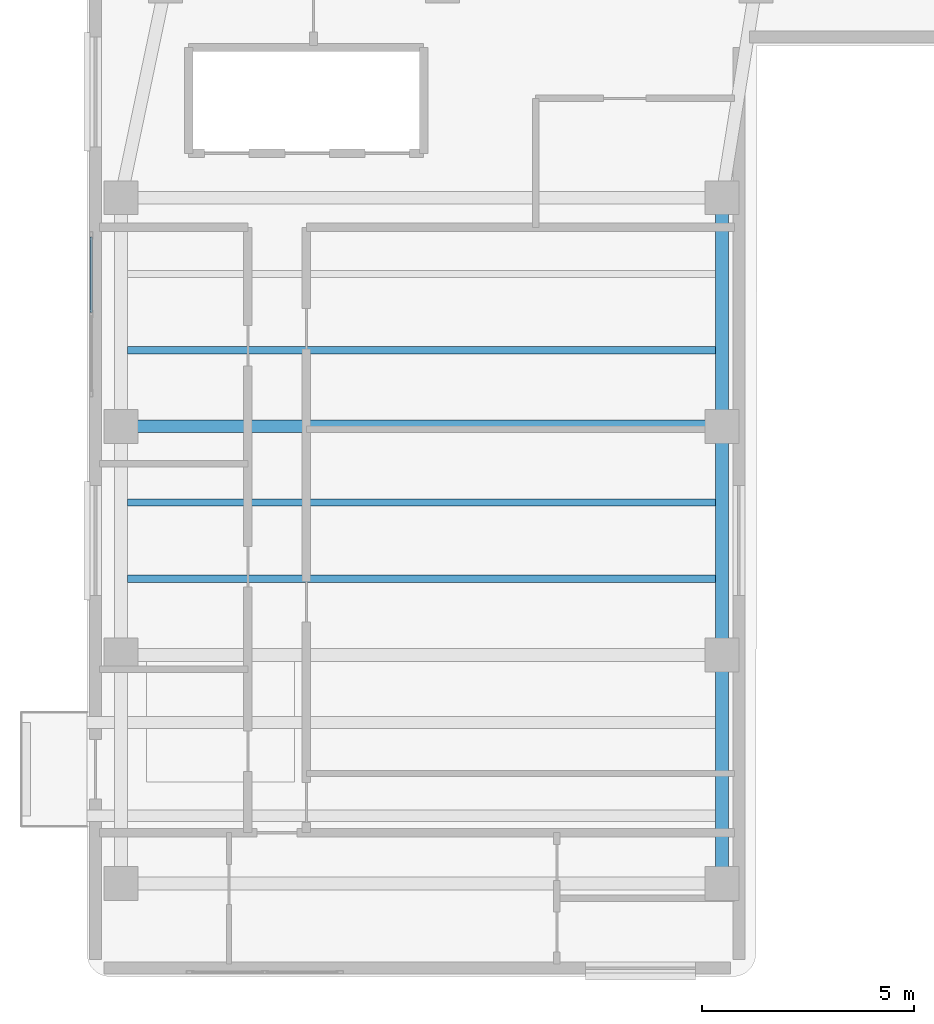
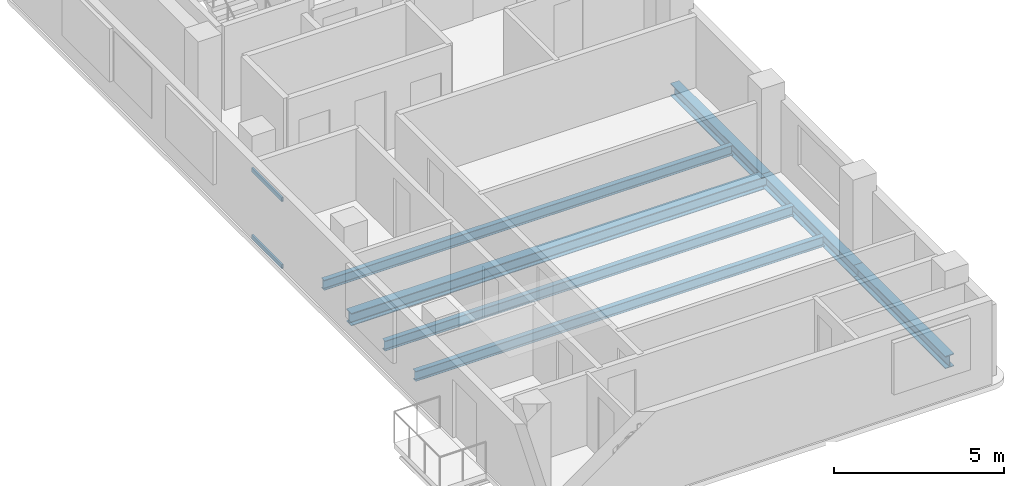
# One storey, part 5 of 11: 7 beams, 2 members, 1 element without a shape of its own.
"""IFC4 building model written with IfcOpenShell, lengths in metres."""

from ifc_helpers import new_model, si_unit, direction, frame, origin, origin_2d, place, context, subcontext, project, spatial, hollow_rectangle, i_section, extrude, material, material_profile, profile_set, type_object, element, aggregate, save


model = new_model("IFC4")

# Units and contexts
model_context = context("Model", 3, precision=1e-05, world=origin(), true_north=direction((0.0, 1.0)))
body_context = subcontext(model_context, "Body", "Model", "MODEL_VIEW")
ifc_project = project(units=[si_unit("LENGTHUNIT", "METRE"), si_unit("AREAUNIT", "SQUARE_METRE"), si_unit("VOLUMEUNIT", "CUBIC_METRE"), si_unit("PLANEANGLEUNIT", "RADIAN"), si_unit("MASSUNIT", "GRAM", prefix="KILO")], contexts=[model_context])

# Site, building, storey
site_placement = place(None, origin())
site = spatial("IfcSite", under=ifc_project, at=site_placement, CompositionType="ELEMENT")
building_placement = place(site_placement, origin())
building = spatial("IfcBuilding", under=site, at=building_placement, Name="Kuzgunbayir Cultural Tower", CompositionType="ELEMENT")
storey_placement = place(building_placement, frame((0.0, 0.0, 244.0)))
storey = spatial("IfcBuildingStorey", under=building, at=storey_placement, Name="L72", CompositionType="ELEMENT", Elevation=244.0)

# Beams
ifc_material_1 = material(Name="Steel S355J2", Category="steel")
ifc_material_profile_1 = material_profile(ifc_material_1, i_section(OverallWidth=0.300048828125, OverallDepth=0.449951171875, WebThickness=0.013916015625, FlangeThickness=0.02587890625, FilletRadius=0.027099609375, at=origin_2d()), Name="HEB 450")
ifc_profile_set_1 = profile_set([ifc_material_profile_1], Name="Steel S355J2")
beam_type_1 = type_object("IfcBeamType", Name="BM-EXT-HEB450", PredefinedType="BEAM", material=ifc_profile_set_1)
for number, where, z_axis, x_axis, name in (
    (1, (19.60009765625, 12.60009765625, -0.409912109375), (0.0, 1.0, 0.0), (-1.0, 0.0, 0.0), "L72 Wing A East Girder 1"),
    (2, (19.60009765625, 18.0, -0.409912109375), (0.0, 1.0, 0.0), (-1.0, 0.0, 0.0), "L72 Wing A East Girder 2"),
):
    element("IfcBeam", number, at=place(storey_placement, frame(where, z_axis=z_axis, x_axis=x_axis)), inside=storey, type_object=beam_type_1, Name=name, PredefinedType="BEAM", context=body_context, shape_type="SweptSolid", body=[
        extrude(i_section(OverallWidth=0.300048828125, OverallDepth=0.449951171875, WebThickness=0.013916015625, FlangeThickness=0.02587890625, FilletRadius=0.027099609375, at=origin_2d()), origin(), (0.0, 0.0, 1.0), 5.39990234375),
    ])
beam_1_placement = place(storey_placement, frame((19.60009765625, 23.39990234375, -0.409912109375), z_axis=(0.0, 1.0, 0.0), x_axis=(-1.0, 0.0, 0.0)))
element("IfcBeam", 3, at=beam_1_placement, inside=storey, type_object=beam_type_1, Name="L72 Wing A East Girder 3", PredefinedType="BEAM", context=body_context, shape_type="SweptSolid", body=[
    extrude(i_section(OverallWidth=0.300048828125, OverallDepth=0.449951171875, WebThickness=0.013916015625, FlangeThickness=0.02587890625, FilletRadius=0.027099609375, at=origin_2d()), origin(), (0.0, 0.0, 1.0), 5.400146484375),
])
ifc_material_profile_2 = material_profile(ifc_material_1, i_section(OverallWidth=0.300048828125, OverallDepth=0.449951171875, WebThickness=0.013916015625, FlangeThickness=0.02587890625, FilletRadius=0.027099609375, at=origin_2d()), Name="HEB 450")
ifc_profile_set_2 = profile_set([ifc_material_profile_2], Name="Steel S355J2")
beam_type_2 = type_object("IfcBeamType", Name="BM-GIR-HEB450", PredefinedType="BEAM", material=ifc_profile_set_2)
beam_2_placement = place(storey_placement, frame((5.39990234375, 23.39990234375, -0.409912109375), z_axis=(1.0, 0.0, 0.0), x_axis=(0.0, 1.0, 0.0)))
element("IfcBeam", 4, at=beam_2_placement, inside=storey, type_object=beam_type_2, Name="L72 Wing A Transverse Girder 3", PredefinedType="BEAM", context=body_context, shape_type="SweptSolid", body=[
    extrude(i_section(OverallWidth=0.300048828125, OverallDepth=0.449951171875, WebThickness=0.013916015625, FlangeThickness=0.02587890625, FilletRadius=0.027099609375, at=origin_2d()), origin(), (0.0, 0.0, 1.0), 14.2001953125),
])
ifc_material_profile_3 = material_profile(ifc_material_1, i_section(OverallWidth=0.169921875, OverallDepth=0.360107421875, WebThickness=0.008056640625, FlangeThickness=0.0126953125, FilletRadius=0.01806640625, at=origin_2d()), Name="IPE 360")
ifc_profile_set_3 = profile_set([ifc_material_profile_3], Name="Steel S355J2")
beam_type_3 = type_object("IfcBeamType", Name="BM-JST-IPE360", PredefinedType="JOIST", material=ifc_profile_set_3)
for number, where, z_axis, x_axis, name in (
    (5, (5.550048828125, 19.800048828125, -0.360107421875), (1.0, 0.0, 0.0), (0.0, 1.0, 0.0), "L72 Wing A Secondary Joist 3"),
    (6, (5.550048828125, 21.60009765625, -0.360107421875), (1.0, 0.0, 0.0), (0.0, 1.0, 0.0), "L72 Wing A Secondary Joist 4"),
    (7, (5.550048828125, 25.199951171875, -0.360107421875), (1.0, 0.0, 0.0), (0.0, 1.0, 0.0), "L72 Wing A Secondary Joist 5"),
):
    element("IfcBeam", number, at=place(storey_placement, frame(where, z_axis=z_axis, x_axis=x_axis)), inside=storey, type_object=beam_type_3, Name=name, PredefinedType="JOIST", context=body_context, shape_type="SweptSolid", body=[
        extrude(i_section(OverallWidth=0.169921875, OverallDepth=0.360107421875, WebThickness=0.008056640625, FlangeThickness=0.0126953125, FilletRadius=0.01806640625, at=origin_2d()), origin(), (0.0, 0.0, 1.0), 13.89990234375),
    ])

# Curtain wall, members
ifc_material_2 = material(Name="Anodised Aluminium Framing", Category="aluminium")
curtain_wall_type = type_object("IfcCurtainWallType", Name="CW06-OBSERVATORY", PredefinedType="NOTDEFINED", material=ifc_material_2)
curtain_wall_placement = place(storey_placement, origin())
curtain_wall = element("IfcCurtainWall", 8, at=curtain_wall_placement, inside=storey, type_object=curtain_wall_type, Name="L72 Crown Observatory West Curtain Wall", PredefinedType="NOTDEFINED")
ifc_material_profile_4 = material_profile(ifc_material_2, hollow_rectangle(XDim=0.06005859375, YDim=0.14990234375, WallThickness=0.00390625, at=origin_2d()), Name="RHS 150x60x4")
ifc_profile_set_4 = profile_set([ifc_material_profile_4], Name="Anodised Aluminium Framing")
member_type = type_object("IfcMemberType", Name="MEM-CW-TRANSOM-150", PredefinedType="USERDEFINED", material=ifc_profile_set_4)
member_1_placement = place(storey_placement, frame((4.699951171875, 26.08740234375, 0.030029296875), z_axis=(0.0, 1.0, 0.0), x_axis=(-1.0, 0.0, 0.0)))
member_1 = element("IfcMember", 9, at=member_1_placement, type_object=member_type, Name="CW06 transom 2.1", ObjectType="TRANSOM", PredefinedType="USERDEFINED", context=body_context, shape_type="SweptSolid", body=[
    extrude(hollow_rectangle(XDim=0.06005859375, YDim=0.14990234375, WallThickness=0.00390625, at=origin_2d()), origin(), (0.0, 0.0, 1.0), 1.78759765625),
])
member_2_placement = place(storey_placement, frame((4.699951171875, 26.08740234375, 2.43994140625), z_axis=(0.0, 1.0, 0.0), x_axis=(-1.0, 0.0, 0.0)))
member_2 = element("IfcMember", 10, at=member_2_placement, type_object=member_type, Name="CW06 transom 2.2", ObjectType="TRANSOM", PredefinedType="USERDEFINED", context=body_context, shape_type="SweptSolid", body=[
    extrude(hollow_rectangle(XDim=0.06005859375, YDim=0.14990234375, WallThickness=0.00390625, at=origin_2d()), origin(), (0.0, 0.0, 1.0), 1.78759765625),
])
aggregate(curtain_wall, [member_1, member_2])

save(model, "model.ifc")
